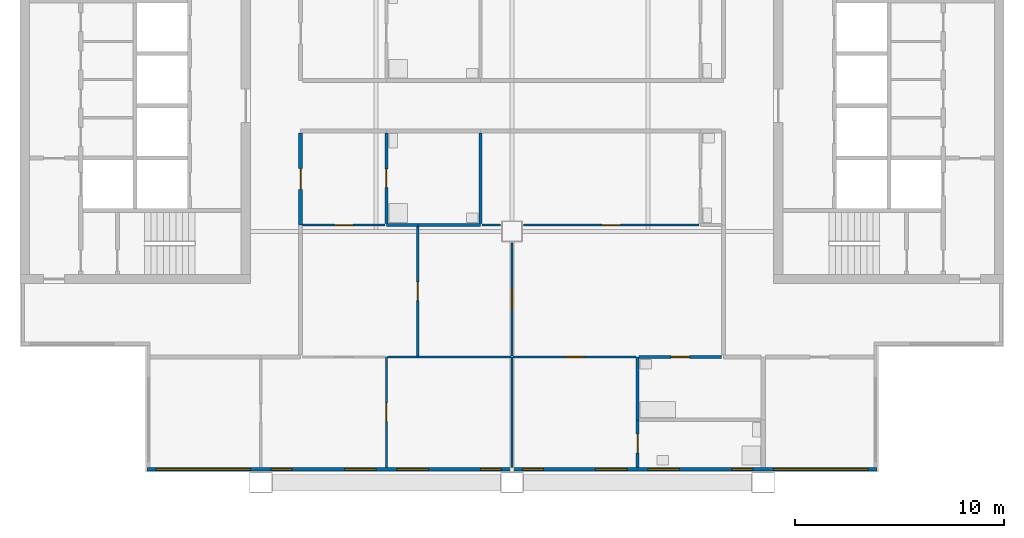
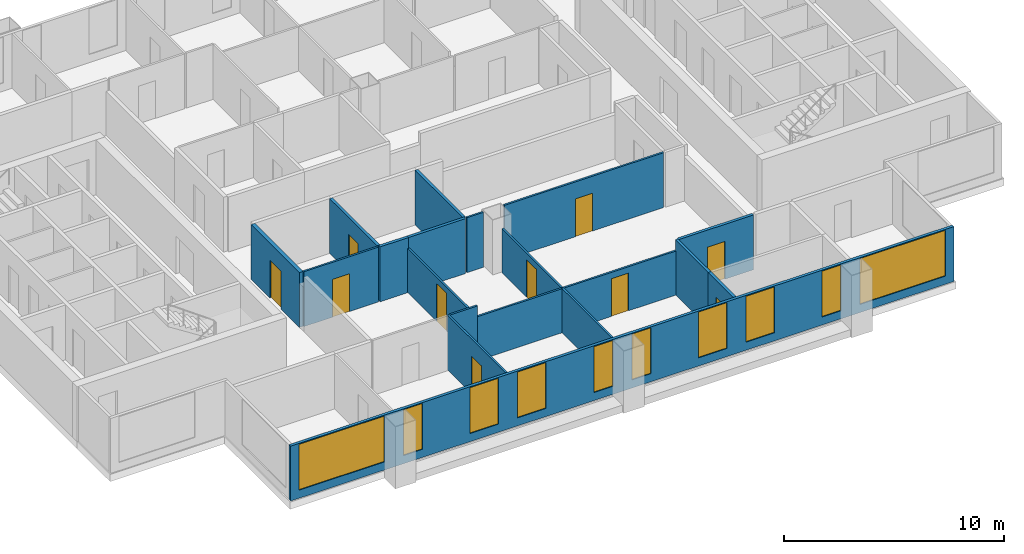
# One storey, part 2 of 8: 19 walls, 10 doors, 10 windows, 20 openings.
"""IFC4 building model written with IfcOpenShell, lengths in metres."""

from ifc_helpers import new_model, si_unit, direction, frame, frame_2d, origin, place, context, subcontext, project, spatial, rectangle, extrude, material, layer, layer_set, type_object, element, fill, save


model = new_model("IFC4")

# Units and contexts
model_context = context("Model", 3, precision=1e-05, world=origin(), true_north=direction((0.0, 1.0)))
body_context = subcontext(model_context, "Body", "Model", "MODEL_VIEW")
ifc_project = project(units=[si_unit("LENGTHUNIT", "METRE"), si_unit("AREAUNIT", "SQUARE_METRE"), si_unit("VOLUMEUNIT", "CUBIC_METRE"), si_unit("PLANEANGLEUNIT", "RADIAN"), si_unit("MASSUNIT", "GRAM", prefix="KILO")], contexts=[model_context])

# Site, building, storey
site_placement = place(None, origin())
site = spatial("IfcSite", under=ifc_project, at=site_placement, CompositionType="ELEMENT")
building_placement = place(site_placement, origin())
building = spatial("IfcBuilding", under=site, at=building_placement, Name="Kitamizu Gate Tower and Museum", CompositionType="ELEMENT")
storey_placement = place(building_placement, frame((0.0, 0.0, 231.75)))
storey = spatial("IfcBuildingStorey", under=building, at=storey_placement, Name="L62", CompositionType="ELEMENT", Elevation=231.75)

# Wall, opening, door
ifc_material_1 = material(Name="Gypsum board on galvanised stud")
ifc_layer_1 = layer(ifc_material_1, 0.10009765625)
ifc_layer_set_1 = layer_set([ifc_layer_1], Name="Gypsum board on galvanised stud")
wall_type_1 = type_object("IfcWallType", Name="Partition 100 NOT RATED", PredefinedType="PARTITIONING", material=ifc_layer_set_1)
wall_1_placement = place(storey_placement, frame((30.0, 12.719970703125, 0.0), z_axis=(0.0, 0.0, 1.0), x_axis=(0.0, 1.0, 0.0)))
wall_1 = element("IfcWall", 1, at=wall_1_placement, inside=storey, type_object=wall_type_1, Name="Partition L62-003", PredefinedType="PARTITIONING", context=body_context, shape_type="SweptSolid", body=[
    extrude(rectangle(XDim=5.280029296875, YDim=0.10009765625, at=frame_2d((2.64013671875, 0.0))), origin(), (0.0, 0.0, 1.0), 3.050048828125),
])
opening_1_placement = place(wall_1_placement, frame((2.18994140625, 0.0, 0.0)))
opening_1 = element("IfcOpeningElement", 2, at=opening_1_placement, cuts=wall_1, Name="Opening L62-007", PredefinedType="OPENING", context=body_context, shape_type="SweptSolid", body=[
    extrude(rectangle(XDim=0.89990234375, YDim=2.10009765625, at=frame_2d((0.449951171875, 1.050048828125))), frame((0.0, 0.06005859375, 0.0), z_axis=(0.0, -1.0, 0.0), x_axis=(1.0, 0.0, 0.0)), (0.0, 0.0, 1.0), 0.1201171875),
])
ifc_material_2 = material(Name="Timber door set", Category="wood")
door_type_1 = type_object("IfcDoorType", Name="Room door 900", OperationType="NOTDEFINED", PredefinedType="DOOR", material=ifc_material_2)
door_1_placement = place(opening_1_placement, origin())
door_1 = element("IfcDoor", 3, at=door_1_placement, inside=storey, type_object=door_type_1, Name="Door L62-007", OperationType="SINGLE_SWING_RIGHT", OverallHeight=2.10009765625, OverallWidth=0.89990234375, PredefinedType="DOOR", context=body_context, shape_type="SweptSolid", body=[
    extrude(rectangle(XDim=0.89990234375, YDim=2.10009765625, at=frame_2d((0.449951171875, 1.050048828125))), frame((0.0, 0.02490234375, 0.0), z_axis=(0.0, -1.0, 0.0), x_axis=(1.0, 0.0, 0.0)), (0.0, 0.0, 1.0), 0.050048828125),
])
fill(opening_1, door_1)

# Walls
wall_2_placement = place(storey_placement, frame((36.0, 12.719970703125, 0.0), z_axis=(0.0, 0.0, 1.0), x_axis=(0.0, 1.0, 0.0)))
element("IfcWall", 4, at=wall_2_placement, inside=storey, type_object=wall_type_1, Name="Partition L62-006", PredefinedType="PARTITIONING", context=body_context, shape_type="SweptSolid", body=[
    extrude(rectangle(XDim=5.280029296875, YDim=0.10009765625, at=frame_2d((2.64013671875, 0.0))), origin(), (0.0, 0.0, 1.0), 2.449951171875),
])
wall_3_placement = place(storey_placement, frame((31.5, 18.0, 0.0), z_axis=(0.0, 0.0, 1.0), x_axis=(-1.0, 0.0, 0.0)))
element("IfcWall", 5, at=wall_3_placement, inside=storey, type_object=wall_type_1, Name="Partition L62-007", PredefinedType="PARTITIONING", context=body_context, shape_type="SweptSolid", body=[
    extrude(rectangle(XDim=1.449951171875, YDim=0.10009765625, at=frame_2d((0.72509765625, 0.0))), origin(), (0.0, 0.0, 1.0), 3.050048828125),
])
wall_4_placement = place(storey_placement, frame((35.949951171875, 18.0, 0.0), z_axis=(0.0, 0.0, 1.0), x_axis=(-1.0, 0.0, 0.0)))
element("IfcWall", 6, at=wall_4_placement, inside=storey, type_object=wall_type_1, Name="Partition L62-008", PredefinedType="PARTITIONING", context=body_context, shape_type="SweptSolid", body=[
    extrude(rectangle(XDim=4.449951171875, YDim=0.10009765625, at=frame_2d((2.22509765625, 0.0))), origin(), (0.0, 0.0, 1.0), 2.449951171875),
])

# Wall, opening, door
wall_5_placement = place(storey_placement, frame((41.925048828125, 18.0, 0.0), z_axis=(0.0, 0.0, 1.0), x_axis=(-1.0, 0.0, 0.0)))
wall_5 = element("IfcWall", 7, at=wall_5_placement, inside=storey, type_object=wall_type_1, Name="Partition L62-011", PredefinedType="PARTITIONING", context=body_context, shape_type="SweptSolid", body=[
    extrude(rectangle(XDim=5.875, YDim=0.10009765625, at=frame_2d((2.9375, 0.0))), origin(), (0.0, 0.0, 1.0), 2.449951171875),
])
opening_2_placement = place(wall_5_placement, frame((2.487548828125, 0.0, 0.0)))
opening_2 = element("IfcOpeningElement", 8, at=opening_2_placement, cuts=wall_5, Name="Opening L62-009", PredefinedType="OPENING", context=body_context, shape_type="SweptSolid", body=[
    extrude(rectangle(XDim=0.89990234375, YDim=2.10009765625, at=frame_2d((0.449951171875, 1.050048828125))), frame((0.0, 0.06005859375, 0.0), z_axis=(0.0, -1.0, 0.0), x_axis=(1.0, 0.0, 0.0)), (0.0, 0.0, 1.0), 0.1201171875),
])
door_2_placement = place(opening_2_placement, origin())
door_2 = element("IfcDoor", 9, at=door_2_placement, inside=storey, type_object=door_type_1, Name="Door L62-009", OperationType="SINGLE_SWING_RIGHT", OverallHeight=2.10009765625, OverallWidth=0.89990234375, PredefinedType="DOOR", context=body_context, shape_type="SweptSolid", body=[
    extrude(rectangle(XDim=0.89990234375, YDim=2.10009765625, at=frame_2d((0.449951171875, 1.050048828125))), frame((0.0, 0.02490234375, 0.0), z_axis=(0.0, -1.0, 0.0), x_axis=(1.0, 0.0, 0.0)), (0.0, 0.0, 1.0), 0.050048828125),
])
fill(opening_2, door_2)

wall_6_placement = place(storey_placement, frame((31.5, 18.050048828125, 0.0), z_axis=(0.0, 0.0, 1.0), x_axis=(0.0, 1.0, 0.0)))
wall_6 = element("IfcWall", 10, at=wall_6_placement, inside=storey, type_object=wall_type_1, Name="Partition L62-017", PredefinedType="PARTITIONING", context=body_context, shape_type="SweptSolid", body=[
    extrude(rectangle(XDim=6.175048828125, YDim=0.10009765625, at=frame_2d((3.08740234375, 0.0))), origin(), (0.0, 0.0, 1.0), 2.449951171875),
])
opening_3_placement = place(wall_6_placement, frame((2.637451171875, 0.0, 0.0)))
opening_3 = element("IfcOpeningElement", 11, at=opening_3_placement, cuts=wall_6, Name="Opening L62-004", PredefinedType="OPENING", context=body_context, shape_type="SweptSolid", body=[
    extrude(rectangle(XDim=0.89990234375, YDim=2.10009765625, at=frame_2d((0.449951171875, 1.050048828125))), frame((0.0, 0.06005859375, 0.0), z_axis=(0.0, -1.0, 0.0), x_axis=(1.0, 0.0, 0.0)), (0.0, 0.0, 1.0), 0.1201171875),
])
door_3_placement = place(opening_3_placement, frame((0.89990234375, 0.0, 0.0), x_axis=(-1.0, 0.0, 0.0)))
door_3 = element("IfcDoor", 12, at=door_3_placement, inside=storey, type_object=door_type_1, Name="Door L62-004", OperationType="SINGLE_SWING_RIGHT", OverallHeight=2.10009765625, OverallWidth=0.89990234375, PredefinedType="DOOR", context=body_context, shape_type="SweptSolid", body=[
    extrude(rectangle(XDim=0.89990234375, YDim=2.10009765625, at=frame_2d((0.449951171875, 1.050048828125))), frame((0.0, 0.02490234375, 0.0), z_axis=(0.0, -1.0, 0.0), x_axis=(1.0, 0.0, 0.0)), (0.0, 0.0, 1.0), 0.050048828125),
])
fill(opening_3, door_3)

wall_7_placement = place(storey_placement, frame((29.925048828125, 24.300048828125, 0.0), z_axis=(0.0, 0.0, 1.0), x_axis=(-1.0, 0.0, 0.0)))
wall_7 = element("IfcWall", 13, at=wall_7_placement, inside=storey, type_object=wall_type_1, Name="Partition L62-018", PredefinedType="PARTITIONING", context=body_context, shape_type="SweptSolid", body=[
    extrude(rectangle(XDim=3.925048828125, YDim=0.10009765625, at=frame_2d((1.96240234375, 0.0))), origin(), (0.0, 0.0, 1.0), 3.050048828125),
])
opening_4_placement = place(wall_7_placement, frame((1.512451171875, 0.0, 0.0)))
opening_4 = element("IfcOpeningElement", 14, at=opening_4_placement, cuts=wall_7, Name="Opening L62-002", PredefinedType="OPENING", context=body_context, shape_type="SweptSolid", body=[
    extrude(rectangle(XDim=0.89990234375, YDim=2.10009765625, at=frame_2d((0.449951171875, 1.050048828125))), frame((0.0, 0.06005859375, 0.0), z_axis=(0.0, -1.0, 0.0), x_axis=(1.0, 0.0, 0.0)), (0.0, 0.0, 1.0), 0.1201171875),
])
door_4_placement = place(opening_4_placement, origin())
door_4 = element("IfcDoor", 15, at=door_4_placement, inside=storey, type_object=door_type_1, Name="Door L62-002", OperationType="SINGLE_SWING_LEFT", OverallHeight=2.10009765625, OverallWidth=0.89990234375, PredefinedType="DOOR", context=body_context, shape_type="SweptSolid", body=[
    extrude(rectangle(XDim=0.89990234375, YDim=2.10009765625, at=frame_2d((0.449951171875, 1.050048828125))), frame((0.0, 0.02490234375, 0.0), z_axis=(0.0, -1.0, 0.0), x_axis=(1.0, 0.0, 0.0)), (0.0, 0.0, 1.0), 0.050048828125),
])
fill(opening_4, door_4)

wall_8_placement = place(storey_placement, frame((36.0, 18.050048828125, 0.0), z_axis=(0.0, 0.0, 1.0), x_axis=(0.0, 1.0, 0.0)))
wall_8 = element("IfcWall", 16, at=wall_8_placement, inside=storey, type_object=wall_type_1, Name="Partition L62-022", PredefinedType="PARTITIONING", context=body_context, shape_type="SweptSolid", body=[
    extrude(rectangle(XDim=5.39990234375, YDim=0.10009765625, at=frame_2d((2.699951171875, 0.0))), origin(), (0.0, 0.0, 1.0), 2.449951171875),
])
opening_5_placement = place(wall_8_placement, frame((2.25, 0.0, 0.0)))
opening_5 = element("IfcOpeningElement", 17, at=opening_5_placement, cuts=wall_8, Name="Opening L62-008", PredefinedType="OPENING", context=body_context, shape_type="SweptSolid", body=[
    extrude(rectangle(XDim=0.89990234375, YDim=2.10009765625, at=frame_2d((0.449951171875, 1.050048828125))), frame((0.0, 0.06005859375, 0.0), z_axis=(0.0, -1.0, 0.0), x_axis=(1.0, 0.0, 0.0)), (0.0, 0.0, 1.0), 0.1201171875),
])
door_5_placement = place(opening_5_placement, origin())
door_5 = element("IfcDoor", 18, at=door_5_placement, inside=storey, type_object=door_type_1, Name="Door L62-008", OperationType="SINGLE_SWING_LEFT", OverallHeight=2.10009765625, OverallWidth=0.89990234375, PredefinedType="DOOR", context=body_context, shape_type="SweptSolid", body=[
    extrude(rectangle(XDim=0.89990234375, YDim=2.10009765625, at=frame_2d((0.449951171875, 1.050048828125))), frame((0.0, 0.02490234375, 0.0), z_axis=(0.0, -1.0, 0.0), x_axis=(1.0, 0.0, 0.0)), (0.0, 0.0, 1.0), 0.050048828125),
])
fill(opening_5, door_5)

# Wall
wall_9_placement = place(storey_placement, frame((35.449951171875, 24.300048828125, 0.0), z_axis=(0.0, 0.0, 1.0), x_axis=(-1.0, 0.0, 0.0)))
element("IfcWall", 19, at=wall_9_placement, inside=storey, type_object=wall_type_1, Name="Partition L62-024", PredefinedType="PARTITIONING", context=body_context, shape_type="SweptSolid", body=[
    extrude(rectangle(XDim=0.875, YDim=0.10009765625, at=frame_2d((0.4375, 0.0))), origin(), (0.0, 0.0, 1.0), 3.050048828125),
])

# Wall, opening, door
wall_10_placement = place(storey_placement, frame((44.925048828125, 24.300048828125, 0.0), z_axis=(0.0, 0.0, 1.0), x_axis=(-1.0, 0.0, 0.0)))
wall_10 = element("IfcWall", 20, at=wall_10_placement, inside=storey, type_object=wall_type_1, Name="Partition L62-025", PredefinedType="PARTITIONING", context=body_context, shape_type="SweptSolid", body=[
    extrude(rectangle(XDim=8.375, YDim=0.10009765625, at=frame_2d((4.1875, 0.0))), origin(), (0.0, 0.0, 1.0), 3.050048828125),
])
opening_6_placement = place(wall_10_placement, frame((3.737548828125, 0.0, 0.0)))
opening_6 = element("IfcOpeningElement", 21, at=opening_6_placement, cuts=wall_10, Name="Opening L62-012", PredefinedType="OPENING", context=body_context, shape_type="SweptSolid", body=[
    extrude(rectangle(XDim=0.89990234375, YDim=2.10009765625, at=frame_2d((0.449951171875, 1.050048828125))), frame((0.0, 0.06005859375, 0.0), z_axis=(0.0, -1.0, 0.0), x_axis=(1.0, 0.0, 0.0)), (0.0, 0.0, 1.0), 0.1201171875),
])
door_6_placement = place(opening_6_placement, frame((0.89990234375, 0.0, 0.0), x_axis=(-1.0, 0.0, 0.0)))
door_6 = element("IfcDoor", 22, at=door_6_placement, inside=storey, type_object=door_type_1, Name="Door L62-012", OperationType="SINGLE_SWING_RIGHT", OverallHeight=2.10009765625, OverallWidth=0.89990234375, PredefinedType="DOOR", context=body_context, shape_type="SweptSolid", body=[
    extrude(rectangle(XDim=0.89990234375, YDim=2.10009765625, at=frame_2d((0.449951171875, 1.050048828125))), frame((0.0, 0.02490234375, 0.0), z_axis=(0.0, -1.0, 0.0), x_axis=(1.0, 0.0, 0.0)), (0.0, 0.0, 1.0), 0.050048828125),
])
fill(opening_6, door_6)

ifc_material_3 = material(Name="Gypsum board on galvanised stud")
ifc_layer_2 = layer(ifc_material_3, 0.14990234375)
ifc_layer_set_2 = layer_set([ifc_layer_2], Name="Gypsum board on galvanised stud")
wall_type_2 = type_object("IfcWallType", Name="Partition 150", PredefinedType="PARTITIONING", material=ifc_layer_set_2)
wall_11_placement = place(storey_placement, frame((42.0, 12.719970703125, 0.0), z_axis=(0.0, 0.0, 1.0), x_axis=(0.0, 1.0, 0.0)))
wall_11 = element("IfcWall", 23, at=wall_11_placement, inside=storey, type_object=wall_type_2, Name="Partition L62-009", PredefinedType="PARTITIONING", context=body_context, shape_type="SweptSolid", body=[
    extrude(rectangle(XDim=2.280029296875, YDim=0.14990234375, at=frame_2d((1.14013671875, 0.0))), origin(), (0.0, 0.0, 1.0), 3.050048828125),
])
opening_7_placement = place(wall_11_placement, frame((0.68994140625, 0.0, 0.0)))
opening_7 = element("IfcOpeningElement", 24, at=opening_7_placement, cuts=wall_11, Name="Opening L62-010", PredefinedType="OPENING", context=body_context, shape_type="SweptSolid", body=[
    extrude(rectangle(XDim=0.89990234375, YDim=2.10009765625, at=frame_2d((0.449951171875, 1.050048828125))), frame((0.0, 0.0849609375, 0.0), z_axis=(0.0, -1.0, 0.0), x_axis=(1.0, 0.0, 0.0)), (0.0, 0.0, 1.0), 0.169921875),
])
ifc_material_4 = material(Name="Timber door set", Category="wood")
door_type_2 = type_object("IfcDoorType", Name="Bathroom door 900", OperationType="NOTDEFINED", PredefinedType="DOOR", material=ifc_material_4)
door_7_placement = place(opening_7_placement, frame((0.89990234375, 0.0, 0.0), x_axis=(-1.0, 0.0, 0.0)))
door_7 = element("IfcDoor", 25, at=door_7_placement, inside=storey, type_object=door_type_2, Name="Bathroom door L62-010", OperationType="SINGLE_SWING_RIGHT", OverallHeight=2.10009765625, OverallWidth=0.89990234375, PredefinedType="DOOR", context=body_context, shape_type="SweptSolid", body=[
    extrude(rectangle(XDim=0.89990234375, YDim=2.10009765625, at=frame_2d((0.449951171875, 1.050048828125))), frame((0.0, 0.02490234375, 0.0), z_axis=(0.0, -1.0, 0.0), x_axis=(1.0, 0.0, 0.0)), (0.0, 0.0, 1.0), 0.050048828125),
])
fill(opening_7, door_7)

# Wall
wall_12_placement = place(storey_placement, frame((42.0, 15.0, 0.0), z_axis=(0.0, 0.0, 1.0), x_axis=(0.0, 1.0, 0.0)))
element("IfcWall", 26, at=wall_12_placement, inside=storey, type_object=wall_type_2, Name="Partition L62-010", PredefinedType="PARTITIONING", context=body_context, shape_type="SweptSolid", body=[
    extrude(rectangle(XDim=3.0, YDim=0.14990234375, at=frame_2d((1.5, 0.0))), origin(), (0.0, 0.0, 1.0), 3.050048828125),
])

# Wall, opening, door
wall_13_placement = place(storey_placement, frame((46.0, 18.0, 0.0), z_axis=(0.0, 0.0, 1.0), x_axis=(-1.0, 0.0, 0.0)))
wall_13 = element("IfcWall", 27, at=wall_13_placement, inside=storey, type_object=wall_type_2, Name="Partition L62-014", PredefinedType="PARTITIONING", context=body_context, shape_type="SweptSolid", body=[
    extrude(rectangle(XDim=3.925048828125, YDim=0.14990234375, at=frame_2d((1.96240234375, 0.0))), origin(), (0.0, 0.0, 1.0), 3.050048828125),
])
opening_8_placement = place(wall_13_placement, frame((1.512451171875, 0.0, 0.0)))
opening_8 = element("IfcOpeningElement", 28, at=opening_8_placement, cuts=wall_13, Name="Opening L62-011", PredefinedType="OPENING", context=body_context, shape_type="SweptSolid", body=[
    extrude(rectangle(XDim=0.89990234375, YDim=2.10009765625, at=frame_2d((0.449951171875, 1.050048828125))), frame((0.0, 0.0849609375, 0.0), z_axis=(0.0, -1.0, 0.0), x_axis=(1.0, 0.0, 0.0)), (0.0, 0.0, 1.0), 0.169921875),
])
door_8_placement = place(opening_8_placement, origin())
door_8 = element("IfcDoor", 29, at=door_8_placement, inside=storey, type_object=door_type_2, Name="Bathroom door L62-011", OperationType="SINGLE_SWING_RIGHT", OverallHeight=2.10009765625, OverallWidth=0.89990234375, PredefinedType="DOOR", context=body_context, shape_type="SweptSolid", body=[
    extrude(rectangle(XDim=0.89990234375, YDim=2.10009765625, at=frame_2d((0.449951171875, 1.050048828125))), frame((0.0, 0.02490234375, 0.0), z_axis=(0.0, -1.0, 0.0), x_axis=(1.0, 0.0, 0.0)), (0.0, 0.0, 1.0), 0.050048828125),
])
fill(opening_8, door_8)

# Walls
wall_14_placement = place(storey_placement, frame((31.5, 24.300048828125, 0.0), z_axis=(0.0, 0.0, 1.0), x_axis=(-1.0, 0.0, 0.0)))
element("IfcWall", 30, at=wall_14_placement, inside=storey, type_object=wall_type_2, Name="Partition L62-019", PredefinedType="PARTITIONING", context=body_context, shape_type="SweptSolid", body=[
    extrude(rectangle(XDim=1.5, YDim=0.14990234375, at=frame_2d((0.75, 0.0))), origin(), (0.0, 0.0, 1.0), 3.050048828125),
])
wall_15_placement = place(storey_placement, frame((34.5, 24.300048828125, 0.0), z_axis=(0.0, 0.0, 1.0), x_axis=(-1.0, 0.0, 0.0)))
element("IfcWall", 31, at=wall_15_placement, inside=storey, type_object=wall_type_2, Name="Partition L62-023", PredefinedType="PARTITIONING", context=body_context, shape_type="SweptSolid", body=[
    extrude(rectangle(XDim=3.0, YDim=0.14990234375, at=frame_2d((1.5, 0.0))), origin(), (0.0, 0.0, 1.0), 3.050048828125),
])

# Wall, opening, door
wall_16_placement = place(storey_placement, frame((30.0, 24.375, 0.0), z_axis=(0.0, 0.0, 1.0), x_axis=(0.0, 1.0, 0.0)))
wall_16 = element("IfcWall", 32, at=wall_16_placement, inside=storey, type_object=wall_type_2, Name="Partition L62-028", PredefinedType="PARTITIONING", context=body_context, shape_type="SweptSolid", body=[
    extrude(rectangle(XDim=4.324951171875, YDim=0.14990234375, at=frame_2d((2.16259765625, 0.0))), origin(), (0.0, 0.0, 1.0), 3.050048828125),
])
opening_9_placement = place(wall_16_placement, frame((1.71240234375, 0.0, 0.0)))
opening_9 = element("IfcOpeningElement", 33, at=opening_9_placement, cuts=wall_16, Name="Opening L62-005", PredefinedType="OPENING", context=body_context, shape_type="SweptSolid", body=[
    extrude(rectangle(XDim=0.89990234375, YDim=2.10009765625, at=frame_2d((0.449951171875, 1.050048828125))), frame((0.0, 0.0849609375, 0.0), z_axis=(0.0, -1.0, 0.0), x_axis=(1.0, 0.0, 0.0)), (0.0, 0.0, 1.0), 0.169921875),
])
door_9_placement = place(opening_9_placement, frame((0.89990234375, 0.0, 0.0), x_axis=(-1.0, 0.0, 0.0)))
door_9 = element("IfcDoor", 34, at=door_9_placement, inside=storey, type_object=door_type_2, Name="Bathroom door L62-005", OperationType="SINGLE_SWING_LEFT", OverallHeight=2.10009765625, OverallWidth=0.89990234375, PredefinedType="DOOR", context=body_context, shape_type="SweptSolid", body=[
    extrude(rectangle(XDim=0.89990234375, YDim=2.10009765625, at=frame_2d((0.449951171875, 1.050048828125))), frame((0.0, 0.02490234375, 0.0), z_axis=(0.0, -1.0, 0.0), x_axis=(1.0, 0.0, 0.0)), (0.0, 0.0, 1.0), 0.050048828125),
])
fill(opening_9, door_9)

# Wall
wall_17_placement = place(storey_placement, frame((34.5, 24.375, 0.0), z_axis=(0.0, 0.0, 1.0), x_axis=(0.0, 1.0, 0.0)))
element("IfcWall", 35, at=wall_17_placement, inside=storey, type_object=wall_type_2, Name="Partition L62-031", PredefinedType="PARTITIONING", context=body_context, shape_type="SweptSolid", body=[
    extrude(rectangle(XDim=4.324951171875, YDim=0.14990234375, at=frame_2d((2.16259765625, 0.0))), origin(), (0.0, 0.0, 1.0), 3.050048828125),
])

# Wall, opening, door
ifc_material_5 = material(Name="Gypsum board on galvanised stud")
ifc_layer_3 = layer(ifc_material_5, 0.199951171875)
ifc_layer_set_3 = layer_set([ifc_layer_3], Name="Gypsum board on galvanised stud")
wall_type_3 = type_object("IfcWallType", Name="Partition 200", PredefinedType="PARTITIONING", material=ifc_layer_set_3)
wall_18_placement = place(storey_placement, frame((25.89990234375, 28.699951171875, 0.0), z_axis=(0.0, 0.0, 1.0), x_axis=(0.0, -1.0, 0.0)))
wall_18 = element("IfcWall", 36, at=wall_18_placement, inside=storey, type_object=wall_type_3, Name="Partition L62-030", PredefinedType="PARTITIONING", context=body_context, shape_type="SweptSolid", body=[
    extrude(rectangle(XDim=4.39990234375, YDim=0.199951171875, at=frame_2d((2.199951171875, 0.0))), origin(), (0.0, 0.0, 1.0), 3.050048828125),
])
opening_10_placement = place(wall_18_placement, frame((1.699951171875, 0.0, 0.0)))
opening_10 = element("IfcOpeningElement", 37, at=opening_10_placement, cuts=wall_18, Name="Opening L62-001", PredefinedType="OPENING", context=body_context, shape_type="SweptSolid", body=[
    extrude(rectangle(XDim=1.0, YDim=2.10009765625, at=frame_2d((0.5, 1.050048828125))), frame((0.0, 0.10986328125, 0.0), z_axis=(0.0, -1.0, 0.0), x_axis=(1.0, 0.0, 0.0)), (0.0, 0.0, 1.0), 0.219970703125),
])
ifc_material_6 = material(Name="Timber door set", Category="wood")
door_type_3 = type_object("IfcDoorType", Name="Flat entrance door 1000", OperationType="NOTDEFINED", PredefinedType="DOOR", material=ifc_material_6)
door_10_placement = place(opening_10_placement, origin())
door_10 = element("IfcDoor", 38, at=door_10_placement, inside=storey, type_object=door_type_3, Name="Flat entrance door L62-001", OperationType="SINGLE_SWING_RIGHT", OverallHeight=2.10009765625, OverallWidth=1.0, PredefinedType="DOOR", context=body_context, shape_type="SweptSolid", body=[
    extrude(rectangle(XDim=1.0, YDim=2.10009765625, at=frame_2d((0.5, 1.050048828125))), frame((0.0, 0.02490234375, 0.0), z_axis=(0.0, -1.0, 0.0), x_axis=(1.0, 0.0, 0.0)), (0.0, 0.0, 1.0), 0.050048828125),
])
fill(opening_10, door_10)

# Wall, openings, windows
ifc_material_7 = material(Name="Bronze anodised aluminium frame with insulated spandrel and tinted glass", Category="aluminium")
ifc_layer_4 = layer(ifc_material_7, 0.14990234375)
ifc_layer_set_4 = layer_set([ifc_layer_4], Name="Bronze anodised aluminium frame with insulated spandrel and tinted glass")
wall_type_4 = type_object("IfcWallType", Name="WINDOW WALL 150 BRONZE FRAME EI 30", PredefinedType="ELEMENTEDWALL", material=ifc_layer_set_4)
wall_19_placement = place(storey_placement, frame((18.56005859375, 12.635009765625, 0.0), z_axis=(0.0, 0.0, 1.0), x_axis=(1.0, 0.0, 0.0)))
wall_19 = element("IfcWall", 39, at=wall_19_placement, inside=storey, type_object=wall_type_4, Name="Window wall south L62", PredefinedType="ELEMENTEDWALL", context=body_context, shape_type="SweptSolid", body=[
    extrude(rectangle(XDim=34.8798828125, YDim=0.14990234375, at=frame_2d((17.43994140625, 0.0))), origin(), (0.0, 0.0, 1.0), 3.050048828125),
])
opening_11_placement = place(wall_19_placement, frame((0.43994140625, 0.0, 0.449951171875)))
opening_11 = element("IfcOpeningElement", 40, at=opening_11_placement, cuts=wall_19, Name="Opening W15", PredefinedType="OPENING", context=body_context, shape_type="SweptSolid", body=[
    extrude(rectangle(XDim=4.5, YDim=2.550048828125, at=frame_2d((2.25, 1.27490234375))), frame((0.0, 0.0849609375, 0.0), z_axis=(0.0, -1.0, 0.0), x_axis=(1.0, 0.0, 0.0)), (0.0, 0.0, 1.0), 0.169921875),
])
opening_12_placement = place(wall_19_placement, frame((5.93994140625, 0.0, 0.449951171875)))
opening_12 = element("IfcOpeningElement", 41, at=opening_12_placement, cuts=wall_19, Name="Opening W26", PredefinedType="OPENING", context=body_context, shape_type="SweptSolid", body=[
    extrude(rectangle(XDim=1.0, YDim=2.550048828125, at=frame_2d((0.5, 1.27490234375))), frame((0.0, 0.0849609375, 0.0), z_axis=(0.0, -1.0, 0.0), x_axis=(1.0, 0.0, 0.0)), (0.0, 0.0, 1.0), 0.169921875),
])
opening_13_placement = place(wall_19_placement, frame((9.43994140625, 0.0, 0.449951171875)))
opening_13 = element("IfcOpeningElement", 42, at=opening_13_placement, cuts=wall_19, Name="Opening W28", PredefinedType="OPENING", context=body_context, shape_type="SweptSolid", body=[
    extrude(rectangle(XDim=1.5, YDim=2.550048828125, at=frame_2d((0.75, 1.27490234375))), frame((0.0, 0.0849609375, 0.0), z_axis=(0.0, -1.0, 0.0), x_axis=(1.0, 0.0, 0.0)), (0.0, 0.0, 1.0), 0.169921875),
])
opening_14_placement = place(wall_19_placement, frame((11.93994140625, 0.0, 0.449951171875)))
opening_14 = element("IfcOpeningElement", 43, at=opening_14_placement, cuts=wall_19, Name="Opening W28", PredefinedType="OPENING", context=body_context, shape_type="SweptSolid", body=[
    extrude(rectangle(XDim=1.5, YDim=2.550048828125, at=frame_2d((0.75, 1.27490234375))), frame((0.0, 0.0849609375, 0.0), z_axis=(0.0, -1.0, 0.0), x_axis=(1.0, 0.0, 0.0)), (0.0, 0.0, 1.0), 0.169921875),
])
opening_15_placement = place(wall_19_placement, frame((15.93994140625, 0.0, 0.449951171875)))
opening_15 = element("IfcOpeningElement", 44, at=opening_15_placement, cuts=wall_19, Name="Opening W26", PredefinedType="OPENING", context=body_context, shape_type="SweptSolid", body=[
    extrude(rectangle(XDim=1.0, YDim=2.550048828125, at=frame_2d((0.5, 1.27490234375))), frame((0.0, 0.0849609375, 0.0), z_axis=(0.0, -1.0, 0.0), x_axis=(1.0, 0.0, 0.0)), (0.0, 0.0, 1.0), 0.169921875),
])
opening_16_placement = place(wall_19_placement, frame((17.93994140625, 0.0, 0.449951171875)))
opening_16 = element("IfcOpeningElement", 45, at=opening_16_placement, cuts=wall_19, Name="Opening W26", PredefinedType="OPENING", context=body_context, shape_type="SweptSolid", body=[
    extrude(rectangle(XDim=1.0, YDim=2.550048828125, at=frame_2d((0.5, 1.27490234375))), frame((0.0, 0.0849609375, 0.0), z_axis=(0.0, -1.0, 0.0), x_axis=(1.0, 0.0, 0.0)), (0.0, 0.0, 1.0), 0.169921875),
])
opening_17_placement = place(wall_19_placement, frame((21.43994140625, 0.0, 0.449951171875)))
opening_17 = element("IfcOpeningElement", 46, at=opening_17_placement, cuts=wall_19, Name="Opening W28", PredefinedType="OPENING", context=body_context, shape_type="SweptSolid", body=[
    extrude(rectangle(XDim=1.5, YDim=2.550048828125, at=frame_2d((0.75, 1.27490234375))), frame((0.0, 0.0849609375, 0.0), z_axis=(0.0, -1.0, 0.0), x_axis=(1.0, 0.0, 0.0)), (0.0, 0.0, 1.0), 0.169921875),
])
opening_18_placement = place(wall_19_placement, frame((23.93994140625, 0.0, 0.449951171875)))
opening_18 = element("IfcOpeningElement", 47, at=opening_18_placement, cuts=wall_19, Name="Opening W28", PredefinedType="OPENING", context=body_context, shape_type="SweptSolid", body=[
    extrude(rectangle(XDim=1.5, YDim=2.550048828125, at=frame_2d((0.75, 1.27490234375))), frame((0.0, 0.0849609375, 0.0), z_axis=(0.0, -1.0, 0.0), x_axis=(1.0, 0.0, 0.0)), (0.0, 0.0, 1.0), 0.169921875),
])
opening_19_placement = place(wall_19_placement, frame((27.93994140625, 0.0, 0.449951171875)))
opening_19 = element("IfcOpeningElement", 48, at=opening_19_placement, cuts=wall_19, Name="Opening W26", PredefinedType="OPENING", context=body_context, shape_type="SweptSolid", body=[
    extrude(rectangle(XDim=1.0, YDim=2.550048828125, at=frame_2d((0.5, 1.27490234375))), frame((0.0, 0.0849609375, 0.0), z_axis=(0.0, -1.0, 0.0), x_axis=(1.0, 0.0, 0.0)), (0.0, 0.0, 1.0), 0.169921875),
])
opening_20_placement = place(wall_19_placement, frame((29.93994140625, 0.0, 0.449951171875)))
opening_20 = element("IfcOpeningElement", 49, at=opening_20_placement, cuts=wall_19, Name="Opening W15", PredefinedType="OPENING", context=body_context, shape_type="SweptSolid", body=[
    extrude(rectangle(XDim=4.5, YDim=2.550048828125, at=frame_2d((2.25, 1.27490234375))), frame((0.0, 0.0849609375, 0.0), z_axis=(0.0, -1.0, 0.0), x_axis=(1.0, 0.0, 0.0)), (0.0, 0.0, 1.0), 0.169921875),
])
ifc_material_8 = material(Name="Bronze anodised aluminium frame, tinted triple glazing", Category="aluminium")
window_type_1 = type_object("IfcWindowType", Name="WINDOW 1000 x 2550 SILL 450", PartitioningType="SINGLE_PANEL", PredefinedType="WINDOW", material=ifc_material_8)
window_1_placement = place(opening_12_placement, origin())
window_1 = element("IfcWindow", 50, at=window_1_placement, inside=storey, type_object=window_type_1, Name="Window W26 L62", OverallHeight=2.550048828125, OverallWidth=1.0, PartitioningType="SINGLE_PANEL", PredefinedType="WINDOW", context=body_context, shape_type="SweptSolid", body=[
    extrude(rectangle(XDim=1.0, YDim=2.550048828125, at=frame_2d((0.5, 1.27490234375))), frame((0.0, 0.030029296875, 0.0), z_axis=(0.0, -1.0, 0.0), x_axis=(1.0, 0.0, 0.0)), (0.0, 0.0, 1.0), 0.06005859375),
])
fill(opening_12, window_1)
window_2_placement = place(opening_15_placement, origin())
window_2 = element("IfcWindow", 51, at=window_2_placement, inside=storey, type_object=window_type_1, Name="Window W26 L62", OverallHeight=2.550048828125, OverallWidth=1.0, PartitioningType="SINGLE_PANEL", PredefinedType="WINDOW", context=body_context, shape_type="SweptSolid", body=[
    extrude(rectangle(XDim=1.0, YDim=2.550048828125, at=frame_2d((0.5, 1.27490234375))), frame((0.0, 0.030029296875, 0.0), z_axis=(0.0, -1.0, 0.0), x_axis=(1.0, 0.0, 0.0)), (0.0, 0.0, 1.0), 0.06005859375),
])
fill(opening_15, window_2)
window_3_placement = place(opening_16_placement, origin())
window_3 = element("IfcWindow", 52, at=window_3_placement, inside=storey, type_object=window_type_1, Name="Window W26 L62", OverallHeight=2.550048828125, OverallWidth=1.0, PartitioningType="SINGLE_PANEL", PredefinedType="WINDOW", context=body_context, shape_type="SweptSolid", body=[
    extrude(rectangle(XDim=1.0, YDim=2.550048828125, at=frame_2d((0.5, 1.27490234375))), frame((0.0, 0.030029296875, 0.0), z_axis=(0.0, -1.0, 0.0), x_axis=(1.0, 0.0, 0.0)), (0.0, 0.0, 1.0), 0.06005859375),
])
fill(opening_16, window_3)
window_4_placement = place(opening_19_placement, origin())
window_4 = element("IfcWindow", 53, at=window_4_placement, inside=storey, type_object=window_type_1, Name="Window W26 L62", OverallHeight=2.550048828125, OverallWidth=1.0, PartitioningType="SINGLE_PANEL", PredefinedType="WINDOW", context=body_context, shape_type="SweptSolid", body=[
    extrude(rectangle(XDim=1.0, YDim=2.550048828125, at=frame_2d((0.5, 1.27490234375))), frame((0.0, 0.030029296875, 0.0), z_axis=(0.0, -1.0, 0.0), x_axis=(1.0, 0.0, 0.0)), (0.0, 0.0, 1.0), 0.06005859375),
])
fill(opening_19, window_4)
ifc_material_9 = material(Name="Bronze anodised aluminium frame, tinted triple glazing", Category="aluminium")
window_type_2 = type_object("IfcWindowType", Name="WINDOW 1500 x 2550 SILL 450", PartitioningType="SINGLE_PANEL", PredefinedType="WINDOW", material=ifc_material_9)
window_5_placement = place(opening_13_placement, origin())
window_5 = element("IfcWindow", 54, at=window_5_placement, inside=storey, type_object=window_type_2, Name="Window W28 L62", OverallHeight=2.550048828125, OverallWidth=1.5, PartitioningType="SINGLE_PANEL", PredefinedType="WINDOW", context=body_context, shape_type="SweptSolid", body=[
    extrude(rectangle(XDim=1.5, YDim=2.550048828125, at=frame_2d((0.75, 1.27490234375))), frame((0.0, 0.030029296875, 0.0), z_axis=(0.0, -1.0, 0.0), x_axis=(1.0, 0.0, 0.0)), (0.0, 0.0, 1.0), 0.06005859375),
])
fill(opening_13, window_5)
window_6_placement = place(opening_14_placement, origin())
window_6 = element("IfcWindow", 55, at=window_6_placement, inside=storey, type_object=window_type_2, Name="Window W28 L62", OverallHeight=2.550048828125, OverallWidth=1.5, PartitioningType="SINGLE_PANEL", PredefinedType="WINDOW", context=body_context, shape_type="SweptSolid", body=[
    extrude(rectangle(XDim=1.5, YDim=2.550048828125, at=frame_2d((0.75, 1.27490234375))), frame((0.0, 0.030029296875, 0.0), z_axis=(0.0, -1.0, 0.0), x_axis=(1.0, 0.0, 0.0)), (0.0, 0.0, 1.0), 0.06005859375),
])
fill(opening_14, window_6)
window_7_placement = place(opening_17_placement, origin())
window_7 = element("IfcWindow", 56, at=window_7_placement, inside=storey, type_object=window_type_2, Name="Window W28 L62", OverallHeight=2.550048828125, OverallWidth=1.5, PartitioningType="SINGLE_PANEL", PredefinedType="WINDOW", context=body_context, shape_type="SweptSolid", body=[
    extrude(rectangle(XDim=1.5, YDim=2.550048828125, at=frame_2d((0.75, 1.27490234375))), frame((0.0, 0.030029296875, 0.0), z_axis=(0.0, -1.0, 0.0), x_axis=(1.0, 0.0, 0.0)), (0.0, 0.0, 1.0), 0.06005859375),
])
fill(opening_17, window_7)
window_8_placement = place(opening_18_placement, origin())
window_8 = element("IfcWindow", 57, at=window_8_placement, inside=storey, type_object=window_type_2, Name="Window W28 L62", OverallHeight=2.550048828125, OverallWidth=1.5, PartitioningType="SINGLE_PANEL", PredefinedType="WINDOW", context=body_context, shape_type="SweptSolid", body=[
    extrude(rectangle(XDim=1.5, YDim=2.550048828125, at=frame_2d((0.75, 1.27490234375))), frame((0.0, 0.030029296875, 0.0), z_axis=(0.0, -1.0, 0.0), x_axis=(1.0, 0.0, 0.0)), (0.0, 0.0, 1.0), 0.06005859375),
])
fill(opening_18, window_8)
ifc_material_10 = material(Name="Bronze anodised aluminium frame, tinted triple glazing", Category="aluminium")
window_type_3 = type_object("IfcWindowType", Name="WINDOW 4500 x 2550 SILL 450", PartitioningType="SINGLE_PANEL", PredefinedType="WINDOW", material=ifc_material_10)
window_9_placement = place(opening_11_placement, origin())
window_9 = element("IfcWindow", 58, at=window_9_placement, inside=storey, type_object=window_type_3, Name="Window W15 L62", OverallHeight=2.550048828125, OverallWidth=4.5, PartitioningType="SINGLE_PANEL", PredefinedType="WINDOW", context=body_context, shape_type="SweptSolid", body=[
    extrude(rectangle(XDim=4.5, YDim=2.550048828125, at=frame_2d((2.25, 1.27490234375))), frame((0.0, 0.030029296875, 0.0), z_axis=(0.0, -1.0, 0.0), x_axis=(1.0, 0.0, 0.0)), (0.0, 0.0, 1.0), 0.06005859375),
])
fill(opening_11, window_9)
window_10_placement = place(opening_20_placement, origin())
window_10 = element("IfcWindow", 59, at=window_10_placement, inside=storey, type_object=window_type_3, Name="Window W15 L62", OverallHeight=2.550048828125, OverallWidth=4.5, PartitioningType="SINGLE_PANEL", PredefinedType="WINDOW", context=body_context, shape_type="SweptSolid", body=[
    extrude(rectangle(XDim=4.5, YDim=2.550048828125, at=frame_2d((2.25, 1.27490234375))), frame((0.0, 0.030029296875, 0.0), z_axis=(0.0, -1.0, 0.0), x_axis=(1.0, 0.0, 0.0)), (0.0, 0.0, 1.0), 0.06005859375),
])
fill(opening_20, window_10)

save(model, "model.ifc")
